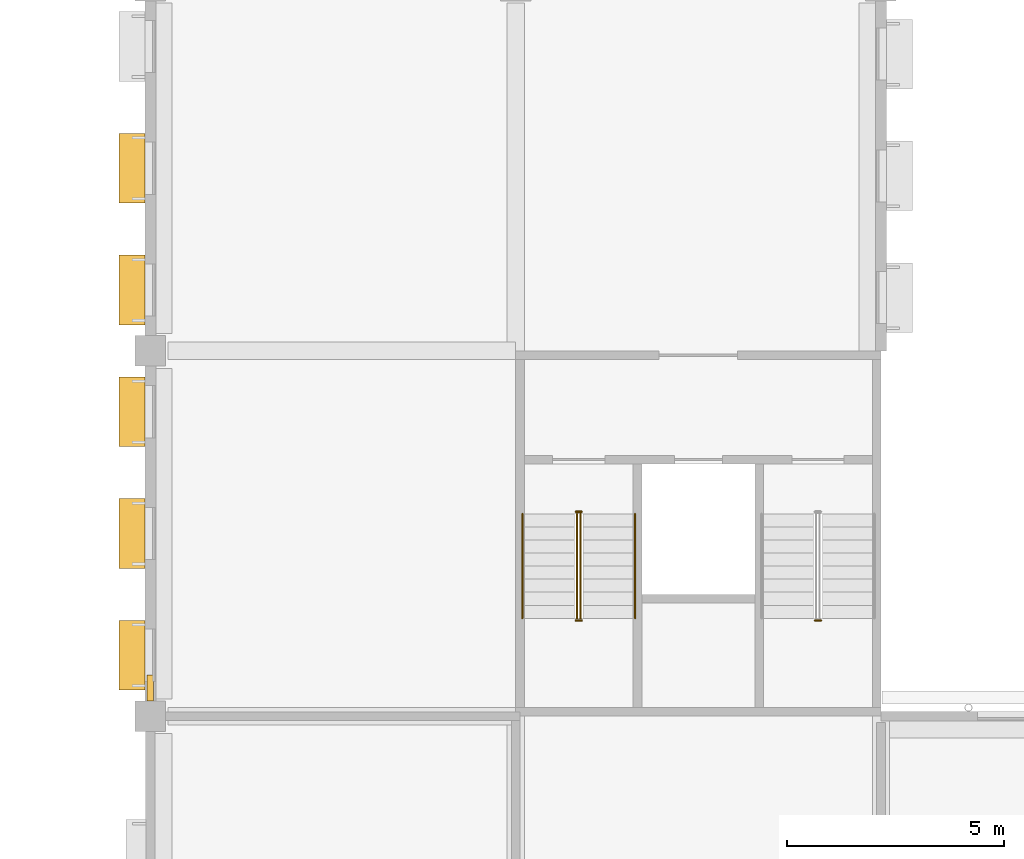
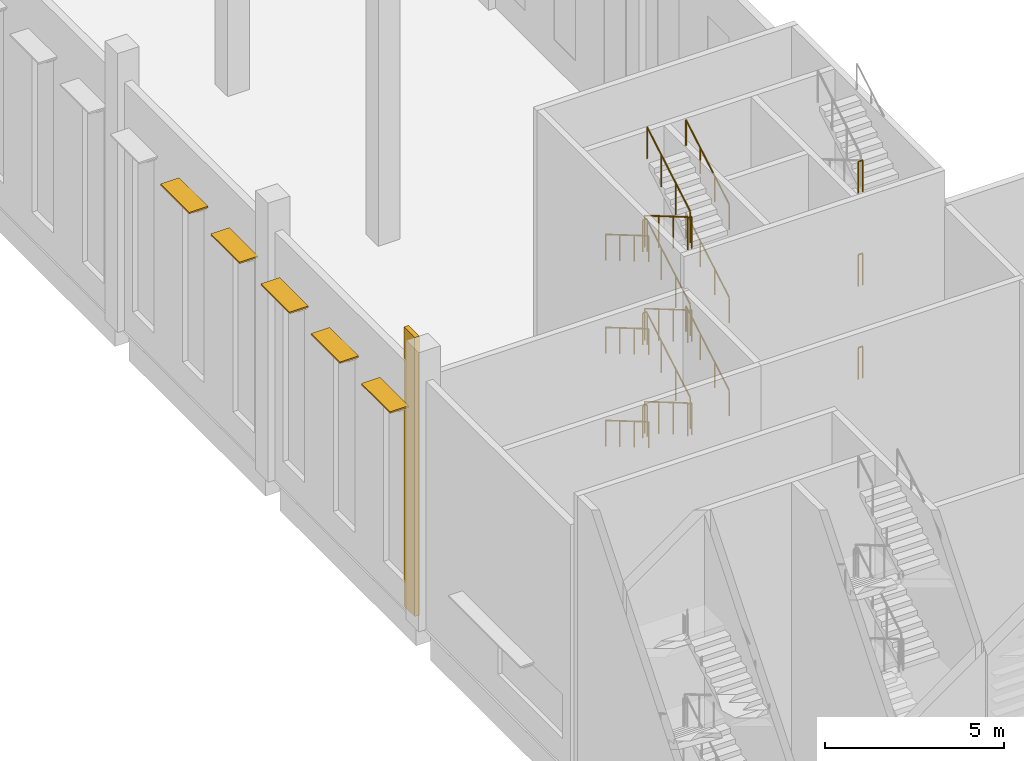
# One storey, part 74 of 114: 21 railings, 6 shading devices.
"""IFC4 building model written with IfcOpenShell, lengths in metres."""

from ifc_helpers import new_model, si_unit, direction, frame, origin, origin_2d, place, context, subcontext, project, spatial, rectangle, circle, extrude, material, material_profile, profile_set, type_object, element, save


model = new_model("IFC4")

# Units and contexts
model_context = context("Model", 3, precision=1e-05, world=origin(), true_north=direction((0.0, 1.0)))
body_context = subcontext(model_context, "Body", "Model", "MODEL_VIEW")
ifc_project = project(units=[si_unit("LENGTHUNIT", "METRE"), si_unit("AREAUNIT", "SQUARE_METRE"), si_unit("VOLUMEUNIT", "CUBIC_METRE"), si_unit("PLANEANGLEUNIT", "RADIAN"), si_unit("MASSUNIT", "GRAM", prefix="KILO")], contexts=[model_context])

# Site, building, storey
site_placement = place(None, origin())
site = spatial("IfcSite", under=ifc_project, at=site_placement, CompositionType="ELEMENT")
building_placement = place(site_placement, origin())
building = spatial("IfcBuilding", under=site, at=building_placement, Name="Almond Square Museum", CompositionType="ELEMENT")
storey_placement = place(building_placement, frame((0.0, 0.0, 10.5)))
storey = spatial("IfcBuildingStorey", under=building, at=storey_placement, Name="L02", CompositionType="ELEMENT", Elevation=10.5)

# Railings
ifc_material_1 = material(Name="Stainless steel and laminated glass", Category="steel")
railing_type_1 = type_object("IfcRailingType", Name="Stair guard 1100 steel and glass", PredefinedType="GUARDRAIL", material=ifc_material_1)
railing_1_placement = place(storey_placement, frame((15.81005859375, 21.449951171875, 0.176025390625)))
element("IfcRailing", 1, at=railing_1_placement, inside=storey, type_object=railing_type_1, Name="L02 ST-21 stair guard 1", PredefinedType="GUARDRAIL", context=body_context, shape_type="SweptSolid", body=[
    extrude(circle(Radius=0.02392578125, at=origin_2d()), frame((0.0, 0.0, 1.076171875), z_axis=(0.0, -0.862637233918, 0.505823094232), x_axis=(1.0, 0.0, 0.0)), (0.0, 0.0, 1.0), 2.781982421875),
    extrude(circle(Radius=0.02099609375, at=origin_2d()), origin(), (0.0, 0.0, 1.0), 1.052001953125),
    extrude(circle(Radius=0.02099609375, at=origin_2d()), frame((0.0, -0.800048828125, 0.468994140625)), (0.0, 0.0, 1.0), 1.052001953125),
    extrude(circle(Radius=0.02099609375, at=origin_2d()), frame((0.0, -1.599853515625, 0.938232421875)), (0.0, 0.0, 1.0), 1.052001953125),
    extrude(circle(Radius=0.02099609375, at=origin_2d()), frame((0.0, -2.39990234375, 1.4072265625)), (0.0, 0.0, 1.0), 1.052001953125),
])
railing_2_placement = place(storey_placement, frame((15.780029296875, 19.0, 1.583251953125)))
element("IfcRailing", 2, at=railing_2_placement, inside=storey, type_object=railing_type_1, Name="L02 ST-21 stair guard 2", PredefinedType="GUARDRAIL", context=body_context, shape_type="SweptSolid", body=[
    extrude(circle(Radius=0.02392578125, at=origin_2d()), frame((0.0, 0.0, 1.076171875), z_axis=(1.0, 0.0, 0.0), x_axis=(0.0, 1.0, 0.0)), (0.0, 0.0, 1.0), 0.139892578125),
    extrude(circle(Radius=0.02099609375, at=origin_2d()), origin(), (0.0, 0.0, 1.0), 1.052001953125),
    extrude(circle(Radius=0.02099609375, at=origin_2d()), frame((0.139892578125, 0.0, 0.0)), (0.0, 0.0, 1.0), 1.052001953125),
])
railing_3_placement = place(storey_placement, frame((15.889892578125, 19.050048828125, 1.75927734375)))
element("IfcRailing", 3, at=railing_3_placement, inside=storey, type_object=railing_type_1, Name="L02 ST-21 stair guard 3", PredefinedType="GUARDRAIL", context=body_context, shape_type="SweptSolid", body=[
    extrude(circle(Radius=0.02392578125, at=origin_2d()), frame((0.0, 0.0, 1.076171875), z_axis=(0.0, 0.86259894172, 0.505888392576), x_axis=(-1.0, 0.0, 0.0)), (0.0, 0.0, 1.0), 2.7822265625),
    extrude(circle(Radius=0.02099609375, at=origin_2d()), origin(), (0.0, 0.0, 1.0), 1.052001953125),
    extrude(circle(Radius=0.02099609375, at=origin_2d()), frame((0.0, 0.800048828125, 0.46923828125)), (0.0, 0.0, 1.0), 1.052001953125),
    extrude(circle(Radius=0.02099609375, at=origin_2d()), frame((0.0, 1.599853515625, 0.938232421875)), (0.0, 0.0, 1.0), 1.052001953125),
    extrude(circle(Radius=0.02099609375, at=origin_2d()), frame((0.0, 2.39990234375, 1.407470703125)), (0.0, 0.0, 1.0), 1.052001953125),
])
railing_4_placement = place(storey_placement, frame((15.780029296875, 21.5, 3.166748046875)))
element("IfcRailing", 4, at=railing_4_placement, inside=storey, type_object=railing_type_1, Name="L02 ST-21 stair guard 4", PredefinedType="GUARDRAIL", context=body_context, shape_type="SweptSolid", body=[
    extrude(circle(Radius=0.02392578125, at=origin_2d()), frame((0.0, 0.0, 1.076171875), z_axis=(1.0, 0.0, 0.0), x_axis=(0.0, 1.0, 0.0)), (0.0, 0.0, 1.0), 0.139892578125),
    extrude(circle(Radius=0.02099609375, at=origin_2d()), origin(), (0.0, 0.0, 1.0), 1.052001953125),
    extrude(circle(Radius=0.02099609375, at=origin_2d()), frame((0.139892578125, 0.0, 0.0)), (0.0, 0.0, 1.0), 1.052001953125),
])
railing_5_placement = place(storey_placement, frame((15.81005859375, 21.449951171875, 3.342529296875)))
element("IfcRailing", 5, at=railing_5_placement, inside=storey, type_object=railing_type_1, Name="L02 ST-21 stair guard 5", PredefinedType="GUARDRAIL", context=body_context, shape_type="SweptSolid", body=[
    extrude(circle(Radius=0.02392578125, at=origin_2d()), frame((0.0, 0.0, 1.076171875), z_axis=(0.0, -0.86259894172, 0.505888392576), x_axis=(1.0, 0.0, 0.0)), (0.0, 0.0, 1.0), 2.7822265625),
    extrude(circle(Radius=0.02099609375, at=origin_2d()), origin(), (0.0, 0.0, 1.0), 1.052001953125),
    extrude(circle(Radius=0.02099609375, at=origin_2d()), frame((0.0, -0.800048828125, 0.46923828125)), (0.0, 0.0, 1.0), 1.052001953125),
    extrude(circle(Radius=0.02099609375, at=origin_2d()), frame((0.0, -1.599853515625, 0.938232421875)), (0.0, 0.0, 1.0), 1.052001953125),
    extrude(circle(Radius=0.02099609375, at=origin_2d()), frame((0.0, -2.39990234375, 1.407470703125)), (0.0, 0.0, 1.0), 1.052001953125),
])
railing_6_placement = place(storey_placement, frame((15.780029296875, 19.0, 4.75)))
element("IfcRailing", 6, at=railing_6_placement, inside=storey, type_object=railing_type_1, Name="L02 ST-21 stair guard 6", PredefinedType="GUARDRAIL", context=body_context, shape_type="SweptSolid", body=[
    extrude(circle(Radius=0.02392578125, at=origin_2d()), frame((0.0, 0.0, 1.076171875), z_axis=(1.0, 0.0, 0.0), x_axis=(0.0, 1.0, 0.0)), (0.0, 0.0, 1.0), 0.139892578125),
    extrude(circle(Radius=0.02099609375, at=origin_2d()), origin(), (0.0, 0.0, 1.0), 1.052001953125),
    extrude(circle(Radius=0.02099609375, at=origin_2d()), frame((0.139892578125, 0.0, 0.0)), (0.0, 0.0, 1.0), 1.052001953125),
])
railing_7_placement = place(storey_placement, frame((15.889892578125, 19.050048828125, 4.926025390625)))
element("IfcRailing", 7, at=railing_7_placement, inside=storey, type_object=railing_type_1, Name="L02 ST-21 stair guard 7", PredefinedType="GUARDRAIL", context=body_context, shape_type="SweptSolid", body=[
    extrude(circle(Radius=0.02392578125, at=origin_2d()), frame((0.0, 0.0, 1.076171875), z_axis=(0.0, 0.862637233918, 0.505823094232), x_axis=(-1.0, 0.0, 0.0)), (0.0, 0.0, 1.0), 2.781982421875),
    extrude(circle(Radius=0.02099609375, at=origin_2d()), origin(), (0.0, 0.0, 1.0), 1.052001953125),
    extrude(circle(Radius=0.02099609375, at=origin_2d()), frame((0.0, 0.800048828125, 0.468994140625)), (0.0, 0.0, 1.0), 1.052001953125),
    extrude(circle(Radius=0.02099609375, at=origin_2d()), frame((0.0, 1.599853515625, 0.938232421875)), (0.0, 0.0, 1.0), 1.052001953125),
    extrude(circle(Radius=0.02099609375, at=origin_2d()), frame((0.0, 2.39990234375, 1.4072265625)), (0.0, 0.0, 1.0), 1.052001953125),
])
railing_8_placement = place(storey_placement, frame((15.780029296875, 21.5, 6.333251953125)))
element("IfcRailing", 8, at=railing_8_placement, inside=storey, type_object=railing_type_1, Name="L02 ST-21 stair guard 8", PredefinedType="GUARDRAIL", context=body_context, shape_type="SweptSolid", body=[
    extrude(circle(Radius=0.02392578125, at=origin_2d()), frame((0.0, 0.0, 1.076171875), z_axis=(1.0, 0.0, 0.0), x_axis=(0.0, 1.0, 0.0)), (0.0, 0.0, 1.0), 0.139892578125),
    extrude(circle(Radius=0.02099609375, at=origin_2d()), origin(), (0.0, 0.0, 1.0), 1.052001953125),
    extrude(circle(Radius=0.02099609375, at=origin_2d()), frame((0.139892578125, 0.0, 0.0)), (0.0, 0.0, 1.0), 1.052001953125),
])
railing_9_placement = place(storey_placement, frame((15.81005859375, 21.449951171875, 6.50927734375)))
element("IfcRailing", 9, at=railing_9_placement, inside=storey, type_object=railing_type_1, Name="L02 ST-21 stair guard 9", PredefinedType="GUARDRAIL", context=body_context, shape_type="SweptSolid", body=[
    extrude(circle(Radius=0.02392578125, at=origin_2d()), frame((0.0, 0.0, 1.076171875), z_axis=(0.0, -0.86259894172, 0.505888392576), x_axis=(1.0, 0.0, 0.0)), (0.0, 0.0, 1.0), 2.7822265625),
    extrude(circle(Radius=0.02099609375, at=origin_2d()), origin(), (0.0, 0.0, 1.0), 1.052001953125),
    extrude(circle(Radius=0.02099609375, at=origin_2d()), frame((0.0, -0.800048828125, 0.46923828125)), (0.0, 0.0, 1.0), 1.052001953125),
    extrude(circle(Radius=0.02099609375, at=origin_2d()), frame((0.0, -1.599853515625, 0.938232421875)), (0.0, 0.0, 1.0), 1.052001953125),
    extrude(circle(Radius=0.02099609375, at=origin_2d()), frame((0.0, -2.39990234375, 1.407470703125)), (0.0, 0.0, 1.0), 1.052001953125),
])
railing_10_placement = place(storey_placement, frame((15.780029296875, 19.0, 7.916748046875)))
element("IfcRailing", 10, at=railing_10_placement, inside=storey, type_object=railing_type_1, Name="L02 ST-21 stair guard 10", PredefinedType="GUARDRAIL", context=body_context, shape_type="SweptSolid", body=[
    extrude(circle(Radius=0.02392578125, at=origin_2d()), frame((0.0, 0.0, 1.076171875), z_axis=(1.0, 0.0, 0.0), x_axis=(0.0, 1.0, 0.0)), (0.0, 0.0, 1.0), 0.139892578125),
    extrude(circle(Radius=0.02099609375, at=origin_2d()), origin(), (0.0, 0.0, 1.0), 1.052001953125),
    extrude(circle(Radius=0.02099609375, at=origin_2d()), frame((0.139892578125, 0.0, 0.0)), (0.0, 0.0, 1.0), 1.052001953125),
])
railing_11_placement = place(storey_placement, frame((15.889892578125, 19.050048828125, 8.092529296875)))
element("IfcRailing", 11, at=railing_11_placement, inside=storey, type_object=railing_type_1, Name="L02 ST-21 stair guard 11", PredefinedType="GUARDRAIL", context=body_context, shape_type="SweptSolid", body=[
    extrude(circle(Radius=0.02392578125, at=origin_2d()), frame((0.0, 0.0, 1.076171875), z_axis=(0.0, 0.86259894172, 0.505888392576), x_axis=(-1.0, 0.0, 0.0)), (0.0, 0.0, 1.0), 2.7822265625),
    extrude(circle(Radius=0.02099609375, at=origin_2d()), origin(), (0.0, 0.0, 1.0), 1.052001953125),
    extrude(circle(Radius=0.02099609375, at=origin_2d()), frame((0.0, 0.800048828125, 0.46923828125)), (0.0, 0.0, 1.0), 1.052001953125),
    extrude(circle(Radius=0.02099609375, at=origin_2d()), frame((0.0, 1.599853515625, 0.938232421875)), (0.0, 0.0, 1.0), 1.052001953125),
    extrude(circle(Radius=0.02099609375, at=origin_2d()), frame((0.0, 2.39990234375, 1.407470703125)), (0.0, 0.0, 1.0), 1.052001953125),
])
for number, where, name in (
    (12, (15.780029296875, 21.5, 0.0), "L02 ST-21 stair guard 12"),
    (13, (21.280029296875, 19.0, 1.583251953125), "L02 ST-22 stair guard 2"),
    (14, (21.280029296875, 19.0, 4.75), "L02 ST-22 stair guard 6"),
    (15, (21.280029296875, 19.0, 7.916748046875), "L02 ST-22 stair guard 10"),
):
    element("IfcRailing", number, at=place(storey_placement, frame(where)), inside=storey, type_object=railing_type_1, Name=name, PredefinedType="GUARDRAIL", context=body_context, shape_type="SweptSolid", body=[
        extrude(circle(Radius=0.02392578125, at=origin_2d()), frame((0.0, 0.0, 1.076171875), z_axis=(1.0, 0.0, 0.0), x_axis=(0.0, 1.0, 0.0)), (0.0, 0.0, 1.0), 0.139892578125),
        extrude(circle(Radius=0.02099609375, at=origin_2d()), origin(), (0.0, 0.0, 1.0), 1.052001953125),
        extrude(circle(Radius=0.02099609375, at=origin_2d()), frame((0.139892578125, 0.0, 0.0)), (0.0, 0.0, 1.0), 1.052001953125),
    ])
ifc_material_2 = material(Name="Stainless steel", Category="steel")
railing_type_2 = type_object("IfcRailingType", Name="Stair handrail 900 steel", PredefinedType="HANDRAIL", material=ifc_material_2)
railing_12_placement = place(storey_placement, frame((14.554931640625, 21.449951171875, 0.176025390625)))
element("IfcRailing", 16, at=railing_12_placement, inside=storey, type_object=railing_type_2, Name="L02 ST-21 stair handrail 1", PredefinedType="HANDRAIL", context=body_context, shape_type="SweptSolid", body=[
    extrude(circle(Radius=0.02392578125, at=origin_2d()), frame((0.0, 0.0, 0.8759765625), z_axis=(0.0, -0.862637233918, 0.505823094232), x_axis=(1.0, 0.0, 0.0)), (0.0, 0.0, 1.0), 2.781982421875),
    extrude(circle(Radius=0.02099609375, at=origin_2d()), origin(), (0.0, 0.0, 1.0), 0.851806640625),
    extrude(circle(Radius=0.02099609375, at=origin_2d()), frame((0.0, -0.800048828125, 0.468994140625)), (0.0, 0.0, 1.0), 0.851806640625),
    extrude(circle(Radius=0.02099609375, at=origin_2d()), frame((0.0, -1.599853515625, 0.938232421875)), (0.0, 0.0, 1.0), 0.851806640625),
    extrude(circle(Radius=0.02099609375, at=origin_2d()), frame((0.0, -2.39990234375, 1.4072265625)), (0.0, 0.0, 1.0), 0.851806640625),
])
railing_13_placement = place(storey_placement, frame((17.14501953125, 19.050048828125, 1.75927734375)))
element("IfcRailing", 17, at=railing_13_placement, inside=storey, type_object=railing_type_2, Name="L02 ST-21 stair handrail 2", PredefinedType="HANDRAIL", context=body_context, shape_type="SweptSolid", body=[
    extrude(circle(Radius=0.02392578125, at=origin_2d()), frame((0.0, 0.0, 0.8759765625), z_axis=(0.0, 0.86259894172, 0.505888392576), x_axis=(-1.0, 0.0, 0.0)), (0.0, 0.0, 1.0), 2.7822265625),
    extrude(circle(Radius=0.02099609375, at=origin_2d()), origin(), (0.0, 0.0, 1.0), 0.851806640625),
    extrude(circle(Radius=0.02099609375, at=origin_2d()), frame((0.0, 0.800048828125, 0.46923828125)), (0.0, 0.0, 1.0), 0.851806640625),
    extrude(circle(Radius=0.02099609375, at=origin_2d()), frame((0.0, 1.599853515625, 0.938232421875)), (0.0, 0.0, 1.0), 0.851806640625),
    extrude(circle(Radius=0.02099609375, at=origin_2d()), frame((0.0, 2.39990234375, 1.407470703125)), (0.0, 0.0, 1.0), 0.851806640625),
])
railing_14_placement = place(storey_placement, frame((14.554931640625, 21.449951171875, 3.342529296875)))
element("IfcRailing", 18, at=railing_14_placement, inside=storey, type_object=railing_type_2, Name="L02 ST-21 stair handrail 3", PredefinedType="HANDRAIL", context=body_context, shape_type="SweptSolid", body=[
    extrude(circle(Radius=0.02392578125, at=origin_2d()), frame((0.0, 0.0, 0.8759765625), z_axis=(0.0, -0.86259894172, 0.505888392576), x_axis=(1.0, 0.0, 0.0)), (0.0, 0.0, 1.0), 2.7822265625),
    extrude(circle(Radius=0.02099609375, at=origin_2d()), origin(), (0.0, 0.0, 1.0), 0.851806640625),
    extrude(circle(Radius=0.02099609375, at=origin_2d()), frame((0.0, -0.800048828125, 0.46923828125)), (0.0, 0.0, 1.0), 0.851806640625),
    extrude(circle(Radius=0.02099609375, at=origin_2d()), frame((0.0, -1.599853515625, 0.938232421875)), (0.0, 0.0, 1.0), 0.851806640625),
    extrude(circle(Radius=0.02099609375, at=origin_2d()), frame((0.0, -2.39990234375, 1.407470703125)), (0.0, 0.0, 1.0), 0.851806640625),
])
railing_15_placement = place(storey_placement, frame((17.14501953125, 19.050048828125, 4.926025390625)))
element("IfcRailing", 19, at=railing_15_placement, inside=storey, type_object=railing_type_2, Name="L02 ST-21 stair handrail 4", PredefinedType="HANDRAIL", context=body_context, shape_type="SweptSolid", body=[
    extrude(circle(Radius=0.02392578125, at=origin_2d()), frame((0.0, 0.0, 0.8759765625), z_axis=(0.0, 0.862637233918, 0.505823094232), x_axis=(-1.0, 0.0, 0.0)), (0.0, 0.0, 1.0), 2.781982421875),
    extrude(circle(Radius=0.02099609375, at=origin_2d()), origin(), (0.0, 0.0, 1.0), 0.851806640625),
    extrude(circle(Radius=0.02099609375, at=origin_2d()), frame((0.0, 0.800048828125, 0.468994140625)), (0.0, 0.0, 1.0), 0.851806640625),
    extrude(circle(Radius=0.02099609375, at=origin_2d()), frame((0.0, 1.599853515625, 0.938232421875)), (0.0, 0.0, 1.0), 0.851806640625),
    extrude(circle(Radius=0.02099609375, at=origin_2d()), frame((0.0, 2.39990234375, 1.4072265625)), (0.0, 0.0, 1.0), 0.851806640625),
])
railing_16_placement = place(storey_placement, frame((14.554931640625, 21.449951171875, 6.50927734375)))
element("IfcRailing", 20, at=railing_16_placement, inside=storey, type_object=railing_type_2, Name="L02 ST-21 stair handrail 5", PredefinedType="HANDRAIL", context=body_context, shape_type="SweptSolid", body=[
    extrude(circle(Radius=0.02392578125, at=origin_2d()), frame((0.0, 0.0, 0.8759765625), z_axis=(0.0, -0.86259894172, 0.505888392576), x_axis=(1.0, 0.0, 0.0)), (0.0, 0.0, 1.0), 2.7822265625),
    extrude(circle(Radius=0.02099609375, at=origin_2d()), origin(), (0.0, 0.0, 1.0), 0.851806640625),
    extrude(circle(Radius=0.02099609375, at=origin_2d()), frame((0.0, -0.800048828125, 0.46923828125)), (0.0, 0.0, 1.0), 0.851806640625),
    extrude(circle(Radius=0.02099609375, at=origin_2d()), frame((0.0, -1.599853515625, 0.938232421875)), (0.0, 0.0, 1.0), 0.851806640625),
    extrude(circle(Radius=0.02099609375, at=origin_2d()), frame((0.0, -2.39990234375, 1.407470703125)), (0.0, 0.0, 1.0), 0.851806640625),
])
railing_17_placement = place(storey_placement, frame((17.14501953125, 19.050048828125, 8.092529296875)))
element("IfcRailing", 21, at=railing_17_placement, inside=storey, type_object=railing_type_2, Name="L02 ST-21 stair handrail 6", PredefinedType="HANDRAIL", context=body_context, shape_type="SweptSolid", body=[
    extrude(circle(Radius=0.02392578125, at=origin_2d()), frame((0.0, 0.0, 0.8759765625), z_axis=(0.0, 0.86259894172, 0.505888392576), x_axis=(-1.0, 0.0, 0.0)), (0.0, 0.0, 1.0), 2.7822265625),
    extrude(circle(Radius=0.02099609375, at=origin_2d()), origin(), (0.0, 0.0, 1.0), 0.851806640625),
    extrude(circle(Radius=0.02099609375, at=origin_2d()), frame((0.0, 0.800048828125, 0.46923828125)), (0.0, 0.0, 1.0), 0.851806640625),
    extrude(circle(Radius=0.02099609375, at=origin_2d()), frame((0.0, 1.599853515625, 0.938232421875)), (0.0, 0.0, 1.0), 0.851806640625),
    extrude(circle(Radius=0.02099609375, at=origin_2d()), frame((0.0, 2.39990234375, 1.407470703125)), (0.0, 0.0, 1.0), 0.851806640625),
])

# Shading devices
ifc_material_3 = material(Name="Anodised aluminium", Category="aluminium")
ifc_material_profile = material_profile(ifc_material_3, rectangle(XDim=0.60009765625, YDim=0.050048828125, at=origin_2d()))
ifc_profile_set = profile_set([ifc_material_profile], Name="Anodised aluminium")
shading_device_type_1 = type_object("IfcShadingDeviceType", Name="Sun-shade blade 600 x 50", PredefinedType="USERDEFINED", material=ifc_profile_set)
for number, where, z_axis, x_axis, name in (
    (22, (5.576904296875, 25.800048828125, 7.02001953125), (0.0, 1.0, 0.0), (-1.0, 0.0, 0.0), "Sun-shade blade"),
    (23, (5.576904296875, 28.60009765625, 7.02001953125), (0.0, 1.0, 0.0), (-1.0, 0.0, 0.0), "Sun-shade blade"),
):
    element("IfcShadingDevice", number, at=place(storey_placement, frame(where, z_axis=z_axis, x_axis=x_axis)), inside=storey, type_object=shading_device_type_1, Name=name, ObjectType="LOUVRE", PredefinedType="USERDEFINED", context=body_context, shape_type="SweptSolid", body=[
        extrude(rectangle(XDim=0.60009765625, YDim=0.050048828125, at=origin_2d()), origin(), (0.0, 0.0, 1.0), 1.599853515625),
    ])
for number, where, z_axis, x_axis, name in (
    (24, (5.576904296875, 17.39990234375, 7.02001953125), (0.0, 1.0, 0.0), (-1.0, 0.0, 0.0), "Sun-shade blade"),
    (25, (5.576904296875, 20.199951171875, 7.02001953125), (0.0, 1.0, 0.0), (-1.0, 0.0, 0.0), "Sun-shade blade"),
    (26, (5.576904296875, 23.0, 7.02001953125), (0.0, 1.0, 0.0), (-1.0, 0.0, 0.0), "Sun-shade blade"),
):
    element("IfcShadingDevice", number, at=place(storey_placement, frame(where, z_axis=z_axis, x_axis=x_axis)), inside=storey, type_object=shading_device_type_1, Name=name, ObjectType="LOUVRE", PredefinedType="USERDEFINED", context=body_context, shape_type="SweptSolid", body=[
        extrude(rectangle(XDim=0.60009765625, YDim=0.050048828125, at=origin_2d()), origin(), (0.0, 0.0, 1.0), 1.60009765625),
    ])
ifc_material_4 = material(Name="Cedar timber fin", Category="wood")
shading_device_type_2 = type_object("IfcShadingDeviceType", Name="Timber storm fin 150 x 600", PredefinedType="USERDEFINED", material=ifc_material_4)
shading_device_placement = place(storey_placement, frame((6.0, 17.449951171875, 0.0), z_axis=(0.0, 0.0, 1.0), x_axis=(1.0, 0.0, 0.0)))
element("IfcShadingDevice", 27, at=shading_device_placement, inside=storey, type_object=shading_device_type_2, Name="Timber storm fin", ObjectType="FIN", PredefinedType="USERDEFINED", context=body_context, shape_type="SweptSolid", body=[
    extrude(rectangle(XDim=0.14990234375, YDim=0.60009765625, at=origin_2d()), origin(), (0.0, 0.0, 1.0), 9.5),
])

save(model, "model.ifc")
